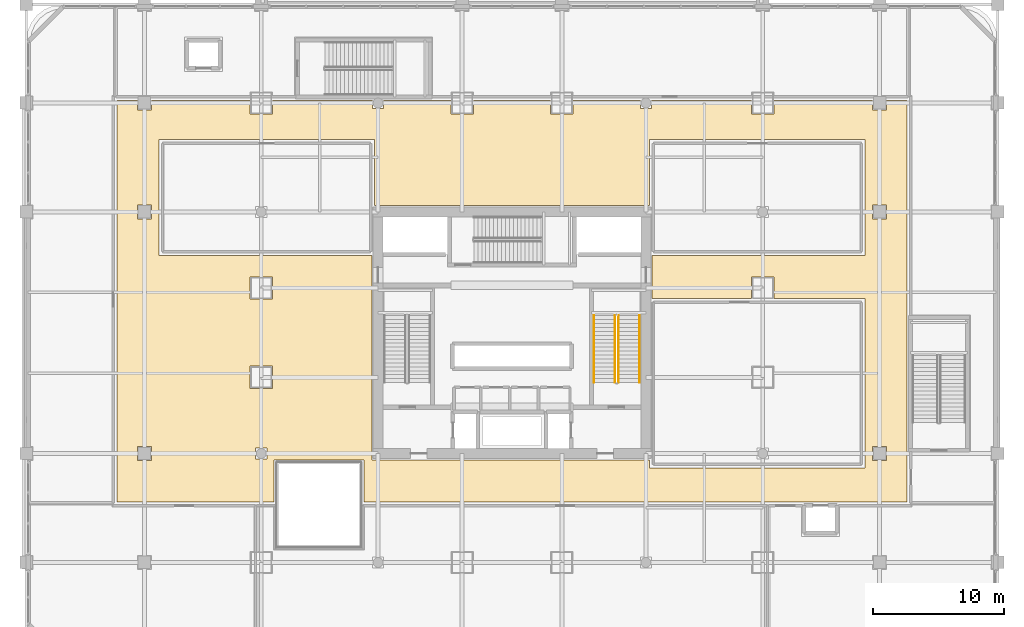
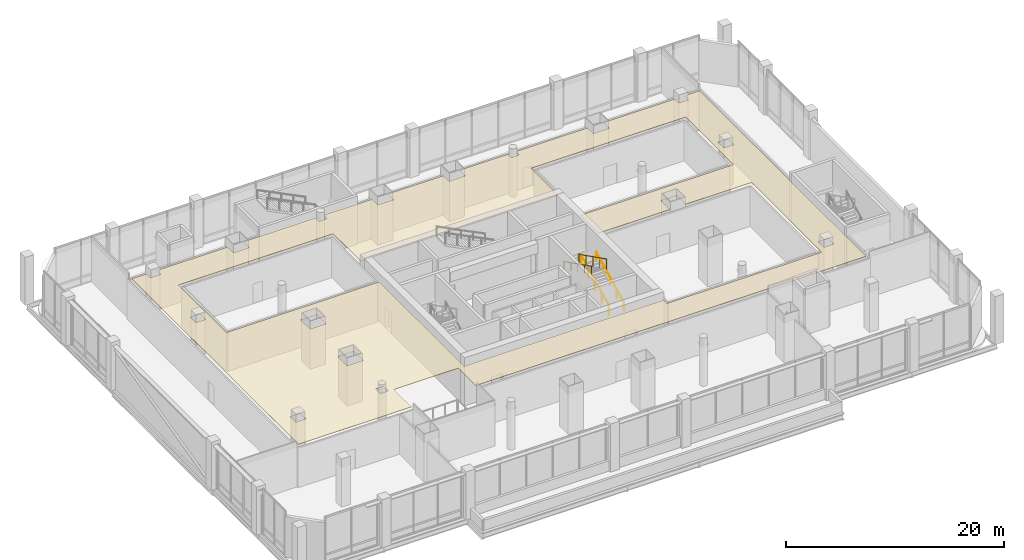
# One storey, part 37 of 43: 4 railings, 1 covering.
"""IFC4 building model written with IfcOpenShell, lengths in metres."""

from ifc_helpers import new_model, si_unit, direction, frame, origin, origin_2d, place, context, subcontext, project, spatial, polyline, circle, outline, extrude, material, layer, layer_set, type_object, element, save


model = new_model("IFC4")

# Units and contexts
model_context = context("Model", 3, precision=1e-05, world=origin(), true_north=direction((0.0, 1.0)))
body_context = subcontext(model_context, "Body", "Model", "MODEL_VIEW")
ifc_project = project(units=[si_unit("LENGTHUNIT", "METRE"), si_unit("AREAUNIT", "SQUARE_METRE"), si_unit("VOLUMEUNIT", "CUBIC_METRE"), si_unit("PLANEANGLEUNIT", "RADIAN"), si_unit("MASSUNIT", "GRAM", prefix="KILO")], contexts=[model_context])

# Site, building, storey
site_placement = place(None, origin())
site = spatial("IfcSite", under=ifc_project, at=site_placement, CompositionType="ELEMENT")
building_placement = place(site_placement, origin())
building = spatial("IfcBuilding", under=site, at=building_placement, Name="Punatoya Terracotta Tower", CompositionType="ELEMENT")
storey_placement = place(building_placement, frame((0.0, 0.0, 6.0)))
storey = spatial("IfcBuildingStorey", under=building, at=storey_placement, Name="L01", CompositionType="ELEMENT", Elevation=6.0)

# Covering
ifc_material_1 = material(Name="Acoustic Mineral Fibre Ceiling")
ifc_layer = layer(ifc_material_1, 0.06005859375)
ifc_layer_set = layer_set([ifc_layer], Name="Acoustic Mineral Fibre Ceiling")
covering_type = type_object("IfcCoveringType", Name="COV-CEIL-60", PredefinedType="CEILING", material=ifc_layer_set)
covering_placement = place(storey_placement, frame((0.0, 0.0, 4.510009765625)))
element("IfcCovering", 1, at=covering_placement, inside=storey, type_object=covering_type, Name="L01 Mezzanine Conference Concourse Corridor Acoustic Ceiling", PredefinedType="CEILING", context=body_context, shape_type="SweptSolid", body=[
    extrude(outline(polyline([(9.77490234375, 17.699951171875), (4.64990234375, 17.699951171875), (4.64990234375, 16.64990234375), (2.949951171875, 16.64990234375), (2.949951171875, 17.699951171875), (-2.949951171875, 17.699951171875), (-2.949951171875, 16.64990234375), (-4.64990234375, 16.64990234375), (-4.64990234375, 17.699951171875), (-9.77490234375, 17.699951171875), (-9.77490234375, 17.074951171875), (-10.625, 17.074951171875), (-10.625, 17.699951171875), (-18.25, 17.699951171875), (-18.25, 16.64990234375), (-19.949951171875, 16.64990234375), (-19.949951171875, 17.699951171875), (-27.47509765625, 17.699951171875), (-27.47509765625, 16.97509765625), (-28.52490234375, 16.97509765625), (-28.52490234375, 17.699951171875), (-30.10009765625, 17.699951171875), (-30.10009765625, -12.89990234375), (-18.1201171875, -12.89990234375), (-18.1201171875, -9.679931640625), (-11.280029296875, -9.679931640625), (-11.280029296875, -12.89990234375), (30.10009765625, -12.89990234375), (30.10009765625, 17.699951171875), (28.52490234375, 17.699951171875), (28.52490234375, 16.97509765625), (27.47509765625, 16.97509765625), (27.47509765625, 17.699951171875), (19.949951171875, 17.699951171875), (19.949951171875, 16.64990234375), (18.25, 16.64990234375), (18.25, 17.699951171875), (10.625, 17.699951171875), (10.625, 17.074951171875), (9.77490234375, 17.074951171875), (9.77490234375, 17.699951171875)]), holes=[polyline([(28.52490234375, -8.675048828125), (28.52490234375, -9.72509765625), (27.47509765625, -9.72509765625), (27.47509765625, -8.675048828125), (28.52490234375, -8.675048828125)]), polyline([(28.52490234375, 8.675048828125), (27.47509765625, 8.675048828125), (27.47509765625, 9.72509765625), (28.52490234375, 9.72509765625), (28.52490234375, 8.675048828125)]), polyline([(-26.89990234375, 14.699951171875), (-10.47998046875, 14.699951171875), (-10.47998046875, 9.679931640625), (10.47998046875, 9.679931640625), (10.47998046875, 14.699951171875), (26.89990234375, 14.699951171875), (26.89990234375, 5.89990234375), (10.679931640625, 5.89990234375), (10.679931640625, 2.60009765625), (18.25, 2.60009765625), (18.25, 4.25), (19.949951171875, 4.25), (19.949951171875, 2.60009765625), (26.89990234375, 2.60009765625), (26.89990234375, -10.300048828125), (10.47998046875, -10.300048828125), (10.47998046875, -9.679931640625), (-10.679931640625, -9.679931640625), (-10.679931640625, 5.89990234375), (-26.89990234375, 5.89990234375), (-26.89990234375, 14.699951171875)]), polyline([(-18.25, -4.25), (-19.949951171875, -4.25), (-19.949951171875, -2.550048828125), (-18.25, -2.550048828125), (-18.25, -4.25)]), polyline([(-18.25, 4.25), (-18.25, 2.550048828125), (-19.949951171875, 2.550048828125), (-19.949951171875, 4.25), (-18.25, 4.25)]), polyline([(-19.52490234375, -9.625), (-19.52490234375, -8.77490234375), (-18.675048828125, -8.77490234375), (-18.675048828125, -9.625), (-19.52490234375, -9.625)]), polyline([(-28.52490234375, -9.72509765625), (-28.52490234375, -8.675048828125), (-27.47509765625, -8.675048828125), (-27.47509765625, -9.72509765625), (-28.52490234375, -9.72509765625)]), polyline([(-28.52490234375, 9.72509765625), (-27.47509765625, 9.72509765625), (-27.47509765625, 8.675048828125), (-28.52490234375, 8.675048828125), (-28.52490234375, 9.72509765625)])]), origin(), (0.0, 0.0, 1.0), 0.06005859375),
])

# Railings
ifc_material_2 = material(Name="Steel S355", Category="steel")
railing_type_1 = type_object("IfcRailingType", Name="RLG-GRD-1150", PredefinedType="GUARDRAIL", material=ifc_material_2)
railing_1_placement = place(storey_placement, frame((8.10009765625, -3.800048828125, 0.14990234375)))
element("IfcRailing", 2, at=railing_1_placement, inside=storey, type_object=railing_type_1, Name="L01 ST-2 stair guard 1", PredefinedType="GUARDRAIL", context=body_context, shape_type="SweptSolid", body=[
    extrude(circle(Radius=0.02392578125, at=origin_2d()), frame((0.0, 0.0, 1.1259765625), z_axis=(0.0, 0.894427191, 0.4472135955), x_axis=(-1.0, 0.0, 0.0)), (0.0, 0.0, 1.0), 5.7021484375),
    extrude(circle(Radius=0.02099609375, at=origin_2d()), origin(), (0.0, 0.0, 1.0), 1.101806640625),
    extrude(circle(Radius=0.02099609375, at=origin_2d()), frame((0.0, 1.27490234375, 0.637451171875)), (0.0, 0.0, 1.0), 1.101806640625),
    extrude(circle(Radius=0.02099609375, at=origin_2d()), frame((0.0, 2.550048828125, 1.27490234375)), (0.0, 0.0, 1.0), 1.101806640625),
    extrude(circle(Radius=0.02099609375, at=origin_2d()), frame((0.0, 3.8251953125, 1.91259765625)), (0.0, 0.0, 1.0), 1.101806640625),
    extrude(circle(Radius=0.02099609375, at=origin_2d()), frame((0.0, 5.10009765625, 2.550048828125)), (0.0, 0.0, 1.0), 1.101806640625),
])
railing_2_placement = place(storey_placement, frame((7.85009765625, 1.300048828125, 2.85009765625)))
element("IfcRailing", 3, at=railing_2_placement, inside=storey, type_object=railing_type_1, Name="L01 ST-2 stair guard 3", PredefinedType="GUARDRAIL", context=body_context, shape_type="SweptSolid", body=[
    extrude(circle(Radius=0.02392578125, at=origin_2d()), frame((0.0, 0.0, 1.1259765625), z_axis=(0.0, -0.89444431709, 0.44717934168), x_axis=(1.0, 0.0, 0.0)), (0.0, 0.0, 1.0), 5.701904296875),
    extrude(circle(Radius=0.02099609375, at=origin_2d()), origin(), (0.0, 0.0, 1.0), 1.101806640625),
    extrude(circle(Radius=0.02099609375, at=origin_2d()), frame((0.0, -1.27490234375, 0.637451171875)), (0.0, 0.0, 1.0), 1.101806640625),
    extrude(circle(Radius=0.02099609375, at=origin_2d()), frame((0.0, -2.550048828125, 1.27490234375)), (0.0, 0.0, 1.0), 1.101806640625),
    extrude(circle(Radius=0.02099609375, at=origin_2d()), frame((0.0, -3.8251953125, 1.912353515625)), (0.0, 0.0, 1.0), 1.101806640625),
    extrude(circle(Radius=0.02099609375, at=origin_2d()), frame((0.0, -5.10009765625, 2.5498046875)), (0.0, 0.0, 1.0), 1.101806640625),
])
railing_type_2 = type_object("IfcRailingType", Name="RLG-HND-900", PredefinedType="HANDRAIL", material=ifc_material_2)
railing_3_placement = place(storey_placement, frame((9.699951171875, -3.800048828125, 0.14990234375)))
element("IfcRailing", 4, at=railing_3_placement, inside=storey, type_object=railing_type_2, Name="L01 ST-2 stair handrail 1", PredefinedType="HANDRAIL", context=body_context, shape_type="SweptSolid", body=[
    extrude(circle(Radius=0.02392578125, at=origin_2d()), frame((0.0, 0.0, 0.8759765625), z_axis=(0.0, 0.894427191, 0.4472135955), x_axis=(-1.0, 0.0, 0.0)), (0.0, 0.0, 1.0), 5.7021484375),
    extrude(circle(Radius=0.02099609375, at=origin_2d()), origin(), (0.0, 0.0, 1.0), 0.851806640625),
    extrude(circle(Radius=0.02099609375, at=origin_2d()), frame((0.0, 1.27490234375, 0.637451171875)), (0.0, 0.0, 1.0), 0.851806640625),
    extrude(circle(Radius=0.02099609375, at=origin_2d()), frame((0.0, 2.550048828125, 1.27490234375)), (0.0, 0.0, 1.0), 0.851806640625),
    extrude(circle(Radius=0.02099609375, at=origin_2d()), frame((0.0, 3.8251953125, 1.91259765625)), (0.0, 0.0, 1.0), 0.851806640625),
    extrude(circle(Radius=0.02099609375, at=origin_2d()), frame((0.0, 5.10009765625, 2.550048828125)), (0.0, 0.0, 1.0), 0.851806640625),
])
railing_4_placement = place(storey_placement, frame((6.25, 1.300048828125, 2.85009765625)))
element("IfcRailing", 5, at=railing_4_placement, inside=storey, type_object=railing_type_2, Name="L01 ST-2 stair handrail 2", PredefinedType="HANDRAIL", context=body_context, shape_type="SweptSolid", body=[
    extrude(circle(Radius=0.02392578125, at=origin_2d()), frame((0.0, 0.0, 0.8759765625), z_axis=(0.0, -0.89444431709, 0.44717934168), x_axis=(1.0, 0.0, 0.0)), (0.0, 0.0, 1.0), 5.701904296875),
    extrude(circle(Radius=0.02099609375, at=origin_2d()), origin(), (0.0, 0.0, 1.0), 0.851806640625),
    extrude(circle(Radius=0.02099609375, at=origin_2d()), frame((0.0, -1.27490234375, 0.637451171875)), (0.0, 0.0, 1.0), 0.851806640625),
    extrude(circle(Radius=0.02099609375, at=origin_2d()), frame((0.0, -2.550048828125, 1.27490234375)), (0.0, 0.0, 1.0), 0.851806640625),
    extrude(circle(Radius=0.02099609375, at=origin_2d()), frame((0.0, -3.8251953125, 1.912353515625)), (0.0, 0.0, 1.0), 0.851806640625),
    extrude(circle(Radius=0.02099609375, at=origin_2d()), frame((0.0, -5.10009765625, 2.5498046875)), (0.0, 0.0, 1.0), 0.851806640625),
])

save(model, "model.ifc")
